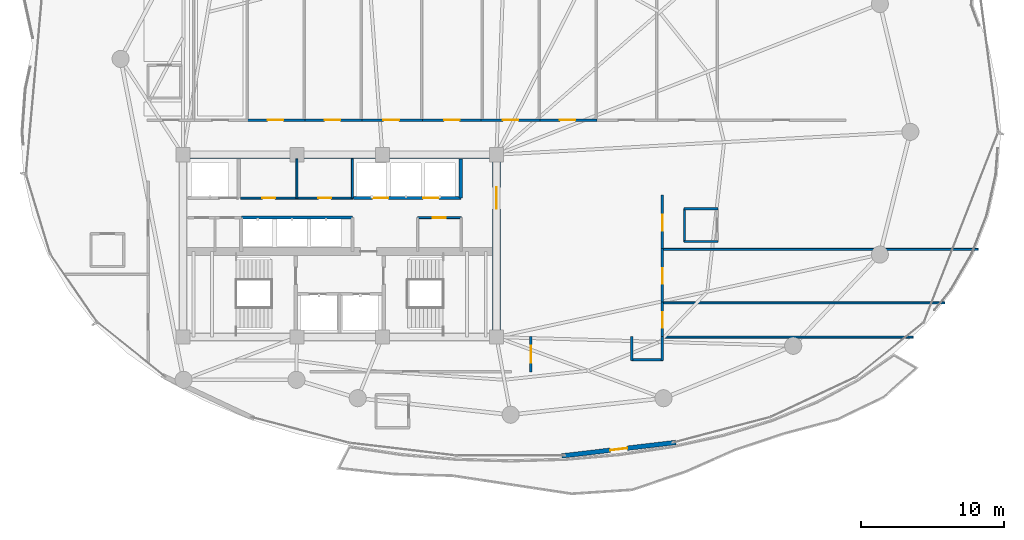
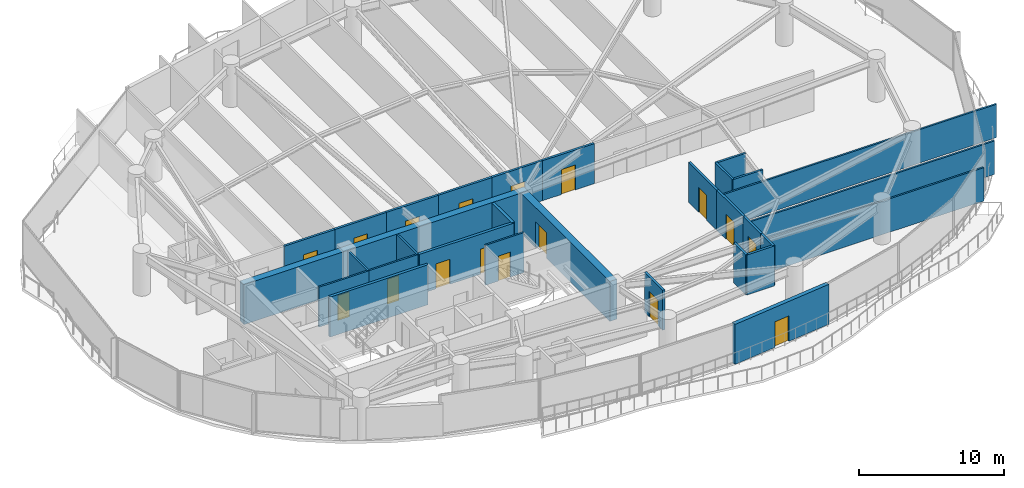
# One storey, part 27 of 33: 30 walls, 17 doors, 17 openings.
"""IFC4 building model written with IfcOpenShell, lengths in metres."""

from ifc_helpers import new_model, si_unit, direction, frame, frame_2d, origin, place, context, subcontext, project, spatial, rectangle, extrude, material, layer, layer_set, type_object, element, fill, save


model = new_model("IFC4")

# Units and contexts
model_context = context("Model", 3, precision=1e-05, world=origin(), true_north=direction((0.0, 1.0)))
body_context = subcontext(model_context, "Body", "Model", "MODEL_VIEW")
ifc_project = project(units=[si_unit("LENGTHUNIT", "METRE"), si_unit("AREAUNIT", "SQUARE_METRE"), si_unit("VOLUMEUNIT", "CUBIC_METRE"), si_unit("PLANEANGLEUNIT", "RADIAN"), si_unit("MASSUNIT", "GRAM", prefix="KILO")], contexts=[model_context])

# Site, building, storey
site_placement = place(None, origin())
site = spatial("IfcSite", under=ifc_project, at=site_placement, CompositionType="ELEMENT")
building_placement = place(site_placement, origin())
building = spatial("IfcBuilding", under=site, at=building_placement, Name="Kazevale Care Tower and Concert Hall", CompositionType="ELEMENT")
storey_placement = place(building_placement, frame((0.0, 0.0, 145.800048828125)))
storey = spatial("IfcBuildingStorey", under=building, at=storey_placement, Name="L38", CompositionType="ELEMENT", Elevation=145.800048828125)

# Wall, opening, door
ifc_material_1 = material(Name="Acoustic Gypsum on Steel Stud", Category="steel")
ifc_layer_1 = layer(ifc_material_1, 0.139892578125)
ifc_layer_set_1 = layer_set([ifc_layer_1], Name="Acoustic Gypsum on Steel Stud")
wall_type_1 = type_object("IfcWallType", Name="Acoustic Care & Suite Partition 140", PredefinedType="PARTITIONING", material=ifc_layer_set_1)
wall_1_placement = place(storey_placement, frame((26.050048828125, 33.35009765625, 0.0), z_axis=(0.0, 0.0, 1.0), x_axis=(1.0, 0.0, 0.0)))
wall_1 = element("IfcWall", 1, at=wall_1_placement, inside=storey, type_object=wall_type_1, Name="wall:L38:c_rpl1_s", PredefinedType="PARTITIONING", context=body_context, shape_type="SweptSolid", body=[
    extrude(rectangle(XDim=3.949951171875, YDim=0.139892578125, at=frame_2d((1.97509765625, 0.0))), origin(), (0.0, 0.0, 1.0), 3.35986328125),
])
opening_1_placement = place(wall_1_placement, frame((1.514892578125, 0.0, 0.0)))
opening_1 = element("IfcOpeningElement", 2, at=opening_1_placement, cuts=wall_1, Name="Opening ID-900", PredefinedType="OPENING", context=body_context, shape_type="SweptSolid", body=[
    extrude(rectangle(XDim=0.919921875, YDim=2.10009765625, at=frame_2d((0.4599609375, 1.050048828125))), frame((0.0, 0.079833984375, 0.0), z_axis=(0.0, -1.0, 0.0), x_axis=(1.0, 0.0, 0.0)), (0.0, 0.0, 1.0), 0.159912109375),
])
ifc_material_2 = material(Name="Oak Timber Fire Leaf", Category="wood")
door_type_1 = type_object("IfcDoorType", Name="Bathroom & Service Door 920x2100", OperationType="NOTDEFINED", PredefinedType="DOOR", material=ifc_material_2)
door_1_placement = place(opening_1_placement, origin())
door_1 = element("IfcDoor", 3, at=door_1_placement, inside=storey, type_object=door_type_1, Name="door:L38:d_rpl1", OperationType="SINGLE_SWING_LEFT", OverallHeight=2.10009765625, OverallWidth=0.919921875, PredefinedType="DOOR", context=body_context, shape_type="SweptSolid", body=[
    extrude(rectangle(XDim=0.919921875, YDim=2.10009765625, at=frame_2d((0.4599609375, 1.050048828125))), frame((0.0, 0.02490234375, 0.0), z_axis=(0.0, -1.0, 0.0), x_axis=(1.0, 0.0, 0.0)), (0.0, 0.0, 1.0), 0.050048828125),
])
fill(opening_1, door_1)

wall_2_placement = place(storey_placement, frame((30.0, 33.35009765625, 0.0), z_axis=(0.0, 0.0, 1.0), x_axis=(1.0, 0.0, 0.0)))
wall_2 = element("IfcWall", 4, at=wall_2_placement, inside=storey, type_object=wall_type_1, Name="wall:L38:c_rpl2_s", PredefinedType="PARTITIONING", context=body_context, shape_type="SweptSolid", body=[
    extrude(rectangle(XDim=3.919921875, YDim=0.139892578125, at=frame_2d((1.9599609375, 0.0))), origin(), (0.0, 0.0, 1.0), 3.35986328125),
])
opening_2_placement = place(wall_2_placement, frame((1.5, 0.0, 0.0)))
opening_2 = element("IfcOpeningElement", 5, at=opening_2_placement, cuts=wall_2, Name="Opening ID-900", PredefinedType="OPENING", context=body_context, shape_type="SweptSolid", body=[
    extrude(rectangle(XDim=0.919921875, YDim=2.10009765625, at=frame_2d((0.4599609375, 1.050048828125))), frame((0.0, 0.079833984375, 0.0), z_axis=(0.0, -1.0, 0.0), x_axis=(1.0, 0.0, 0.0)), (0.0, 0.0, 1.0), 0.159912109375),
])
door_2_placement = place(opening_2_placement, origin())
door_2 = element("IfcDoor", 6, at=door_2_placement, inside=storey, type_object=door_type_1, Name="door:L38:d_rpl2", OperationType="SINGLE_SWING_RIGHT", OverallHeight=2.10009765625, OverallWidth=0.919921875, PredefinedType="DOOR", context=body_context, shape_type="SweptSolid", body=[
    extrude(rectangle(XDim=0.919921875, YDim=2.10009765625, at=frame_2d((0.4599609375, 1.050048828125))), frame((0.0, 0.02490234375, 0.0), z_axis=(0.0, -1.0, 0.0), x_axis=(1.0, 0.0, 0.0)), (0.0, 0.0, 1.0), 0.050048828125),
])
fill(opening_2, door_2)

# Walls
for number, where, z_axis, x_axis, name in (
    (7, (30.0, 33.35009765625, 0.0), (0.0, 0.0, 1.0), (0.0, 1.0, 0.0), "wall:L38:c_rpl_m"),
    (8, (33.89990234375, 33.35009765625, 0.0), (0.0, 0.0, 1.0), (0.0, 1.0, 0.0), "wall:L38:c_rpl_e"),
):
    element("IfcWall", number, at=place(storey_placement, frame(where, z_axis=z_axis, x_axis=x_axis)), inside=storey, type_object=wall_type_1, Name=name, PredefinedType="PARTITIONING", context=body_context, shape_type="SweptSolid", body=[
        extrude(rectangle(XDim=2.75, YDim=0.139892578125, at=frame_2d((1.375, 0.0))), origin(), (0.0, 0.0, 1.0), 3.35986328125),
    ])

# Wall, opening, door
wall_3_placement = place(storey_placement, frame((38.47998046875, 31.97998046875, 0.0), z_axis=(0.0, 0.0, 1.0), x_axis=(1.0, 0.0, 0.0)))
wall_3 = element("IfcWall", 9, at=wall_3_placement, inside=storey, type_object=wall_type_1, Name="wall:L38:kb_en", PredefinedType="PARTITIONING", context=body_context, shape_type="SweptSolid", body=[
    extrude(rectangle(XDim=3.0400390625, YDim=0.139892578125, at=frame_2d((1.52001953125, 0.0))), origin(), (0.0, 0.0, 1.0), 3.35986328125),
])
opening_3_placement = place(wall_3_placement, frame((1.044921875, 0.0, 0.0)))
opening_3 = element("IfcOpeningElement", 10, at=opening_3_placement, cuts=wall_3, Name="Opening ID-900", PredefinedType="OPENING", context=body_context, shape_type="SweptSolid", body=[
    extrude(rectangle(XDim=0.919921875, YDim=2.10009765625, at=frame_2d((0.4599609375, 1.050048828125))), frame((0.0, 0.079833984375, 0.0), z_axis=(0.0, -1.0, 0.0), x_axis=(1.0, 0.0, 0.0)), (0.0, 0.0, 1.0), 0.159912109375),
])
door_3_placement = place(opening_3_placement, origin())
door_3 = element("IfcDoor", 11, at=door_3_placement, inside=storey, type_object=door_type_1, Name="door:L38:d_kbe", OperationType="SINGLE_SWING_LEFT", OverallHeight=2.10009765625, OverallWidth=0.919921875, PredefinedType="DOOR", context=body_context, shape_type="SweptSolid", body=[
    extrude(rectangle(XDim=0.919921875, YDim=2.10009765625, at=frame_2d((0.4599609375, 1.050048828125))), frame((0.0, 0.02490234375, 0.0), z_axis=(0.0, -1.0, 0.0), x_axis=(1.0, 0.0, 0.0)), (0.0, 0.0, 1.0), 0.050048828125),
])
fill(opening_3, door_3)

# Walls
wall_4_placement = place(storey_placement, frame((55.6201171875, 23.590087890625, 0.0), z_axis=(0.0, 0.0, 1.0), x_axis=(1.0, 0.0, 0.0)))
element("IfcWall", 12, at=wall_4_placement, inside=storey, type_object=wall_type_1, Name="wall:L38:auto_032", PredefinedType="PARTITIONING", context=body_context, shape_type="SweptSolid", body=[
    extrude(rectangle(XDim=17.620849609375, YDim=0.139892578125, at=frame_2d((8.810546875, 0.0))), origin(), (0.0, 0.0, 1.0), 2.805908203125),
])
wall_5_placement = place(storey_placement, frame((55.6201171875, 26.0, 0.0), z_axis=(0.0, 0.0, 1.0), x_axis=(1.0, 0.0, 0.0)))
element("IfcWall", 13, at=wall_5_placement, inside=storey, type_object=wall_type_1, Name="wall:L38:auto_033", PredefinedType="PARTITIONING", context=body_context, shape_type="SweptSolid", body=[
    extrude(rectangle(XDim=19.85595703125, YDim=0.139892578125, at=frame_2d((9.927978515625, 0.0))), origin(), (0.0, 0.0, 1.0), 2.805908203125),
])
wall_6_placement = place(storey_placement, frame((55.6201171875, 29.75, 0.0), z_axis=(0.0, 0.0, 1.0), x_axis=(1.0, 0.0, 0.0)))
element("IfcWall", 14, at=wall_6_placement, inside=storey, type_object=wall_type_1, Name="wall:L38:auto_034", PredefinedType="PARTITIONING", context=body_context, shape_type="SweptSolid", body=[
    extrude(rectangle(XDim=22.186767578125, YDim=0.139892578125, at=frame_2d((11.09326171875, 0.0))), origin(), (0.0, 0.0, 1.0), 2.805908203125),
])
ifc_material_3 = material(Name="Concrete C60", Category="concrete")
ifc_layer_2 = layer(ifc_material_3, 0.550048828125)
ifc_layer_set_2 = layer_set([ifc_layer_2], Name="Concrete C60")
wall_type_2 = type_object("IfcWallType", Name="Core Shear Wall 550 C60", PredefinedType="SHEAR", material=ifc_layer_set_2)
wall_7_placement = place(storey_placement, frame((21.72509765625, 36.39990234375, 0.0), z_axis=(0.0, 0.0, 1.0), x_axis=(1.0, 0.0, 0.0)))
element("IfcWall", 15, at=wall_7_placement, inside=storey, type_object=wall_type_2, Name="wall:L38:core:N", PredefinedType="SHEAR", context=body_context, shape_type="SweptSolid", body=[
    extrude(rectangle(XDim=22.5498046875, YDim=0.550048828125, at=frame_2d((11.27490234375, 0.0))), origin(), (0.0, 0.0, 1.0), 3.35986328125),
])

# Wall, opening, door
wall_8_placement = place(storey_placement, frame((44.0, 23.875, 0.0), z_axis=(0.0, 0.0, 1.0), x_axis=(0.0, 1.0, 0.0)))
wall_8 = element("IfcWall", 16, at=wall_8_placement, inside=storey, type_object=wall_type_2, Name="wall:L38:core:E", PredefinedType="SHEAR", context=body_context, shape_type="SweptSolid", body=[
    extrude(rectangle(XDim=12.25, YDim=0.550048828125, at=frame_2d((6.125, 0.0))), origin(), (0.0, 0.0, 1.0), 3.35986328125),
])
opening_4_placement = place(wall_8_placement, frame((8.72509765625, 0.0, 0.0)))
opening_4 = element("IfcOpeningElement", 17, at=opening_4_placement, cuts=wall_8, Name="Opening FD-60D", PredefinedType="OPENING", context=body_context, shape_type="SweptSolid", body=[
    extrude(rectangle(XDim=1.5, YDim=2.14990234375, at=frame_2d((0.75, 1.074951171875))), frame((0.0, 0.284912109375, 0.0), z_axis=(0.0, -1.0, 0.0), x_axis=(1.0, 0.0, 0.0)), (0.0, 0.0, 1.0), 0.570068359375),
])
door_type_2 = type_object("IfcDoorType", Name="Double Lobby & Auditorium Fire Door 1500x2150", OperationType="NOTDEFINED", PredefinedType="DOOR", material=ifc_material_2)
door_4_placement = place(opening_4_placement, origin())
door_4 = element("IfcDoor", 18, at=door_4_placement, inside=storey, type_object=door_type_2, Name="door:L38:core_east_out", OperationType="DOUBLE_DOOR_SINGLE_SWING", OverallHeight=2.14990234375, OverallWidth=1.5, PredefinedType="DOOR", context=body_context, shape_type="SweptSolid", body=[
    extrude(rectangle(XDim=1.5, YDim=2.14990234375, at=frame_2d((0.75, 1.074951171875))), frame((0.0, 0.02490234375, 0.0), z_axis=(0.0, -1.0, 0.0), x_axis=(1.0, 0.0, 0.0)), (0.0, 0.0, 1.0), 0.050048828125),
])
fill(opening_4, door_4)

# Wall
ifc_material_4 = material(Name="Concrete C40", Category="concrete")
ifc_layer_3 = layer(ifc_material_4, 0.219970703125)
ifc_layer_set_3 = layer_set([ifc_layer_3], Name="Concrete C40")
wall_type_3 = type_object("IfcWallType", Name="Elevator Hoistway Shaft Wall 220", PredefinedType="SOLIDWALL", material=ifc_layer_set_3)
wall_9_placement = place(storey_placement, frame((26.10009765625, 31.97998046875, 0.0), z_axis=(0.0, 0.0, 1.0), x_axis=(1.0, 0.0, 0.0)))
element("IfcWall", 19, at=wall_9_placement, inside=storey, type_object=wall_type_3, Name="wall:L38:c_ph_n", PredefinedType="SOLIDWALL", context=body_context, shape_type="SweptSolid", body=[
    extrude(rectangle(XDim=7.7998046875, YDim=0.219970703125, at=frame_2d((3.89990234375, 0.0))), origin(), (0.0, 0.0, 1.0), 3.35986328125),
])

# Wall, openings, doors
wall_10_placement = place(storey_placement, frame((33.97998046875, 33.35009765625, 0.0), z_axis=(0.0, 0.0, 1.0), x_axis=(1.0, 0.0, 0.0)))
wall_10 = element("IfcWall", 20, at=wall_10_placement, inside=storey, type_object=wall_type_3, Name="wall:L38:c_pm_s", PredefinedType="SOLIDWALL", context=body_context, shape_type="SweptSolid", body=[
    extrude(rectangle(XDim=7.5400390625, YDim=0.219970703125, at=frame_2d((3.77001953125, 0.0))), origin(), (0.0, 0.0, 1.0), 3.35986328125),
])
opening_5_placement = place(wall_10_placement, frame((1.3349609375, 0.0, 0.0)))
opening_5 = element("IfcOpeningElement", 21, at=opening_5_placement, cuts=wall_10, Name="Opening LD-PAX", PredefinedType="OPENING", context=body_context, shape_type="SweptSolid", body=[
    extrude(rectangle(XDim=1.10009765625, YDim=2.10009765625, at=frame_2d((0.550048828125, 1.050048828125))), frame((0.0, 0.119873046875, 0.0), z_axis=(0.0, -1.0, 0.0), x_axis=(1.0, 0.0, 0.0)), (0.0, 0.0, 1.0), 0.239990234375),
])
opening_6_placement = place(wall_10_placement, frame((4.87890625, 0.0, 0.0)))
opening_6 = element("IfcOpeningElement", 22, at=opening_6_placement, cuts=wall_10, Name="Opening LD-PAX", PredefinedType="OPENING", context=body_context, shape_type="SweptSolid", body=[
    extrude(rectangle(XDim=1.10009765625, YDim=2.10009765625, at=frame_2d((0.550048828125, 1.050048828125))), frame((0.0, 0.119873046875, 0.0), z_axis=(0.0, -1.0, 0.0), x_axis=(1.0, 0.0, 0.0)), (0.0, 0.0, 1.0), 0.239990234375),
])
ifc_material_5 = material(Name="Stainless Steel 316", Category="steel")
door_type_3 = type_object("IfcDoorType", Name="Passenger Lift Sliding Landing Door 1100x2100", OperationType="NOTDEFINED", PredefinedType="DOOR", material=ifc_material_5)
door_5_placement = place(opening_5_placement, origin())
door_5 = element("IfcDoor", 23, at=door_5_placement, inside=storey, type_object=door_type_3, Name="door:L38:ld_pm1", OperationType="SLIDING_TO_LEFT", OverallHeight=2.10009765625, OverallWidth=1.10009765625, PredefinedType="DOOR", context=body_context, shape_type="SweptSolid", body=[
    extrude(rectangle(XDim=1.10009765625, YDim=2.10009765625, at=frame_2d((0.550048828125, 1.050048828125))), frame((0.0, 0.02490234375, 0.0), z_axis=(0.0, -1.0, 0.0), x_axis=(1.0, 0.0, 0.0)), (0.0, 0.0, 1.0), 0.050048828125),
])
fill(opening_5, door_5)
door_6_placement = place(opening_6_placement, origin())
door_6 = element("IfcDoor", 24, at=door_6_placement, inside=storey, type_object=door_type_3, Name="door:L38:ld_pm2", OperationType="SLIDING_TO_RIGHT", OverallHeight=2.10009765625, OverallWidth=1.10009765625, PredefinedType="DOOR", context=body_context, shape_type="SweptSolid", body=[
    extrude(rectangle(XDim=1.10009765625, YDim=2.10009765625, at=frame_2d((0.550048828125, 1.050048828125))), frame((0.0, 0.02490234375, 0.0), z_axis=(0.0, -1.0, 0.0), x_axis=(1.0, 0.0, 0.0)), (0.0, 0.0, 1.0), 0.050048828125),
])
fill(opening_6, door_6)

# Wall
wall_11_placement = place(storey_placement, frame((41.5, 33.35009765625, 0.0), z_axis=(0.0, 0.0, 1.0), x_axis=(0.0, 1.0, 0.0)))
element("IfcWall", 25, at=wall_11_placement, inside=storey, type_object=wall_type_3, Name="wall:L38:c_pm_e", PredefinedType="SOLIDWALL", context=body_context, shape_type="SweptSolid", body=[
    extrude(rectangle(XDim=2.75, YDim=0.219970703125, at=frame_2d((1.375, 0.0))), origin(), (0.0, 0.0, 1.0), 3.35986328125),
])

# Wall, opening, door
ifc_material_6 = material(Name="Concrete C40 and Acoustic Gypsum", Category="concrete")
ifc_layer_4 = layer(ifc_material_6, 0.179931640625)
ifc_layer_set_4 = layer_set([ifc_layer_4], Name="Concrete C40 and Acoustic Gypsum")
wall_type_4 = type_object("IfcWallType", Name="Fire-Rated Corridor & Party Wall 180", PredefinedType="PARTITIONING", material=ifc_layer_set_4)
wall_12_placement = place(storey_placement, frame((26.43505859375, 38.824951171875, 0.0), z_axis=(0.0, 0.0, 1.0), x_axis=(1.0, 0.0, 0.0)))
wall_12 = element("IfcWall", 26, at=wall_12_placement, inside=storey, type_object=wall_type_4, Name="wall:L38:auto_003", PredefinedType="PARTITIONING", context=body_context, shape_type="SweptSolid", body=[
    extrude(rectangle(XDim=4.1298828125, YDim=0.179931640625, at=frame_2d((2.06494140625, 0.0))), origin(), (0.0, 0.0, 1.0), 3.35986328125),
])
opening_7_placement = place(wall_12_placement, frame((1.514892578125, 0.0, 0.0)))
opening_7 = element("IfcOpeningElement", 27, at=opening_7_placement, cuts=wall_12, Name="Opening ID-1100", PredefinedType="OPENING", context=body_context, shape_type="SweptSolid", body=[
    extrude(rectangle(XDim=1.10009765625, YDim=2.10009765625, at=frame_2d((0.550048828125, 1.050048828125))), frame((0.0, 0.099853515625, 0.0), z_axis=(0.0, -1.0, 0.0), x_axis=(1.0, 0.0, 0.0)), (0.0, 0.0, 1.0), 0.199951171875),
])
door_type_4 = type_object("IfcDoorType", Name="Care Bedroom Accessible Door 1100x2100", OperationType="NOTDEFINED", PredefinedType="DOOR", material=ifc_material_2)
door_7_placement = place(opening_7_placement, origin())
door_7 = element("IfcDoor", 28, at=door_7_placement, inside=storey, type_object=door_type_4, Name="door:L38:ad_003", OperationType="SINGLE_SWING_LEFT", OverallHeight=2.10009765625, OverallWidth=1.10009765625, PredefinedType="DOOR", context=body_context, shape_type="SweptSolid", body=[
    extrude(rectangle(XDim=1.10009765625, YDim=2.10009765625, at=frame_2d((0.550048828125, 1.050048828125))), frame((0.0, 0.02490234375, 0.0), z_axis=(0.0, -1.0, 0.0), x_axis=(1.0, 0.0, 0.0)), (0.0, 0.0, 1.0), 0.050048828125),
])
fill(opening_7, door_7)

wall_13_placement = place(storey_placement, frame((30.43505859375, 38.824951171875, 0.0), z_axis=(0.0, 0.0, 1.0), x_axis=(1.0, 0.0, 0.0)))
wall_13 = element("IfcWall", 29, at=wall_13_placement, inside=storey, type_object=wall_type_4, Name="wall:L38:auto_004", PredefinedType="PARTITIONING", context=body_context, shape_type="SweptSolid", body=[
    extrude(rectangle(XDim=4.1298828125, YDim=0.179931640625, at=frame_2d((2.06494140625, 0.0))), origin(), (0.0, 0.0, 1.0), 3.35986328125),
])
opening_8_placement = place(wall_13_placement, frame((1.514892578125, 0.0, 0.0)))
opening_8 = element("IfcOpeningElement", 30, at=opening_8_placement, cuts=wall_13, Name="Opening ID-1100", PredefinedType="OPENING", context=body_context, shape_type="SweptSolid", body=[
    extrude(rectangle(XDim=1.10009765625, YDim=2.10009765625, at=frame_2d((0.550048828125, 1.050048828125))), frame((0.0, 0.099853515625, 0.0), z_axis=(0.0, -1.0, 0.0), x_axis=(1.0, 0.0, 0.0)), (0.0, 0.0, 1.0), 0.199951171875),
])
door_8_placement = place(opening_8_placement, origin())
door_8 = element("IfcDoor", 31, at=door_8_placement, inside=storey, type_object=door_type_4, Name="door:L38:ad_004", OperationType="SINGLE_SWING_LEFT", OverallHeight=2.10009765625, OverallWidth=1.10009765625, PredefinedType="DOOR", context=body_context, shape_type="SweptSolid", body=[
    extrude(rectangle(XDim=1.10009765625, YDim=2.10009765625, at=frame_2d((0.550048828125, 1.050048828125))), frame((0.0, 0.02490234375, 0.0), z_axis=(0.0, -1.0, 0.0), x_axis=(1.0, 0.0, 0.0)), (0.0, 0.0, 1.0), 0.050048828125),
])
fill(opening_8, door_8)

wall_14_placement = place(storey_placement, frame((34.43505859375, 38.824951171875, 0.0), z_axis=(0.0, 0.0, 1.0), x_axis=(1.0, 0.0, 0.0)))
wall_14 = element("IfcWall", 32, at=wall_14_placement, inside=storey, type_object=wall_type_4, Name="wall:L38:auto_005", PredefinedType="PARTITIONING", context=body_context, shape_type="SweptSolid", body=[
    extrude(rectangle(XDim=4.3798828125, YDim=0.179931640625, at=frame_2d((2.18994140625, 0.0))), origin(), (0.0, 0.0, 1.0), 3.35986328125),
])
opening_9_placement = place(wall_14_placement, frame((1.639892578125, 0.0, 0.0)))
opening_9 = element("IfcOpeningElement", 33, at=opening_9_placement, cuts=wall_14, Name="Opening ID-1100", PredefinedType="OPENING", context=body_context, shape_type="SweptSolid", body=[
    extrude(rectangle(XDim=1.10009765625, YDim=2.10009765625, at=frame_2d((0.550048828125, 1.050048828125))), frame((0.0, 0.099853515625, 0.0), z_axis=(0.0, -1.0, 0.0), x_axis=(1.0, 0.0, 0.0)), (0.0, 0.0, 1.0), 0.199951171875),
])
door_9_placement = place(opening_9_placement, origin())
door_9 = element("IfcDoor", 34, at=door_9_placement, inside=storey, type_object=door_type_4, Name="door:L38:ad_005", OperationType="SINGLE_SWING_LEFT", OverallHeight=2.10009765625, OverallWidth=1.10009765625, PredefinedType="DOOR", context=body_context, shape_type="SweptSolid", body=[
    extrude(rectangle(XDim=1.10009765625, YDim=2.10009765625, at=frame_2d((0.550048828125, 1.050048828125))), frame((0.0, 0.02490234375, 0.0), z_axis=(0.0, -1.0, 0.0), x_axis=(1.0, 0.0, 0.0)), (0.0, 0.0, 1.0), 0.050048828125),
])
fill(opening_9, door_9)

wall_15_placement = place(storey_placement, frame((38.68505859375, 38.824951171875, 0.0), z_axis=(0.0, 0.0, 1.0), x_axis=(1.0, 0.0, 0.0)))
wall_15 = element("IfcWall", 35, at=wall_15_placement, inside=storey, type_object=wall_type_4, Name="wall:L38:auto_006", PredefinedType="PARTITIONING", context=body_context, shape_type="SweptSolid", body=[
    extrude(rectangle(XDim=4.3798828125, YDim=0.179931640625, at=frame_2d((2.18994140625, 0.0))), origin(), (0.0, 0.0, 1.0), 3.35986328125),
])
opening_10_placement = place(wall_15_placement, frame((1.639892578125, 0.0, 0.0)))
opening_10 = element("IfcOpeningElement", 36, at=opening_10_placement, cuts=wall_15, Name="Opening ID-1100", PredefinedType="OPENING", context=body_context, shape_type="SweptSolid", body=[
    extrude(rectangle(XDim=1.10009765625, YDim=2.10009765625, at=frame_2d((0.550048828125, 1.050048828125))), frame((0.0, 0.099853515625, 0.0), z_axis=(0.0, -1.0, 0.0), x_axis=(1.0, 0.0, 0.0)), (0.0, 0.0, 1.0), 0.199951171875),
])
door_10_placement = place(opening_10_placement, origin())
door_10 = element("IfcDoor", 37, at=door_10_placement, inside=storey, type_object=door_type_4, Name="door:L38:ad_006", OperationType="SINGLE_SWING_LEFT", OverallHeight=2.10009765625, OverallWidth=1.10009765625, PredefinedType="DOOR", context=body_context, shape_type="SweptSolid", body=[
    extrude(rectangle(XDim=1.10009765625, YDim=2.10009765625, at=frame_2d((0.550048828125, 1.050048828125))), frame((0.0, 0.02490234375, 0.0), z_axis=(0.0, -1.0, 0.0), x_axis=(1.0, 0.0, 0.0)), (0.0, 0.0, 1.0), 0.050048828125),
])
fill(opening_10, door_10)

wall_16_placement = place(storey_placement, frame((42.93505859375, 38.824951171875, 0.0), z_axis=(0.0, 0.0, 1.0), x_axis=(1.0, 0.0, 0.0)))
wall_16 = element("IfcWall", 38, at=wall_16_placement, inside=storey, type_object=wall_type_4, Name="wall:L38:auto_007", PredefinedType="PARTITIONING", context=body_context, shape_type="SweptSolid", body=[
    extrude(rectangle(XDim=4.1298828125, YDim=0.179931640625, at=frame_2d((2.06494140625, 0.0))), origin(), (0.0, 0.0, 1.0), 3.35986328125),
])
opening_11_placement = place(wall_16_placement, frame((1.514892578125, 0.0, 0.0)))
opening_11 = element("IfcOpeningElement", 39, at=opening_11_placement, cuts=wall_16, Name="Opening ID-1100", PredefinedType="OPENING", context=body_context, shape_type="SweptSolid", body=[
    extrude(rectangle(XDim=1.10009765625, YDim=2.10009765625, at=frame_2d((0.550048828125, 1.050048828125))), frame((0.0, 0.099853515625, 0.0), z_axis=(0.0, -1.0, 0.0), x_axis=(1.0, 0.0, 0.0)), (0.0, 0.0, 1.0), 0.199951171875),
])
door_11_placement = place(opening_11_placement, origin())
door_11 = element("IfcDoor", 40, at=door_11_placement, inside=storey, type_object=door_type_4, Name="door:L38:ad_007", OperationType="SINGLE_SWING_LEFT", OverallHeight=2.10009765625, OverallWidth=1.10009765625, PredefinedType="DOOR", context=body_context, shape_type="SweptSolid", body=[
    extrude(rectangle(XDim=1.10009765625, YDim=2.10009765625, at=frame_2d((0.550048828125, 1.050048828125))), frame((0.0, 0.02490234375, 0.0), z_axis=(0.0, -1.0, 0.0), x_axis=(1.0, 0.0, 0.0)), (0.0, 0.0, 1.0), 0.050048828125),
])
fill(opening_11, door_11)

wall_17_placement = place(storey_placement, frame((46.93505859375, 38.824951171875, 0.0), z_axis=(0.0, 0.0, 1.0), x_axis=(1.0, 0.0, 0.0)))
wall_17 = element("IfcWall", 41, at=wall_17_placement, inside=storey, type_object=wall_type_4, Name="wall:L38:auto_008", PredefinedType="PARTITIONING", context=body_context, shape_type="SweptSolid", body=[
    extrude(rectangle(XDim=4.1298828125, YDim=0.179931640625, at=frame_2d((2.06494140625, 0.0))), origin(), (0.0, 0.0, 1.0), 3.35986328125),
])
opening_12_placement = place(wall_17_placement, frame((1.514892578125, 0.0, 0.0)))
opening_12 = element("IfcOpeningElement", 42, at=opening_12_placement, cuts=wall_17, Name="Opening ID-1100", PredefinedType="OPENING", context=body_context, shape_type="SweptSolid", body=[
    extrude(rectangle(XDim=1.10009765625, YDim=2.10009765625, at=frame_2d((0.550048828125, 1.050048828125))), frame((0.0, 0.099853515625, 0.0), z_axis=(0.0, -1.0, 0.0), x_axis=(1.0, 0.0, 0.0)), (0.0, 0.0, 1.0), 0.199951171875),
])
door_12_placement = place(opening_12_placement, origin())
door_12 = element("IfcDoor", 43, at=door_12_placement, inside=storey, type_object=door_type_4, Name="door:L38:ad_008", OperationType="SINGLE_SWING_LEFT", OverallHeight=2.10009765625, OverallWidth=1.10009765625, PredefinedType="DOOR", context=body_context, shape_type="SweptSolid", body=[
    extrude(rectangle(XDim=1.10009765625, YDim=2.10009765625, at=frame_2d((0.550048828125, 1.050048828125))), frame((0.0, 0.02490234375, 0.0), z_axis=(0.0, -1.0, 0.0), x_axis=(1.0, 0.0, 0.0)), (0.0, 0.0, 1.0), 0.050048828125),
])
fill(opening_12, door_12)

wall_18_placement = place(storey_placement, frame((46.425048828125, 23.655029296875, 0.0), z_axis=(0.0, 0.0, 1.0), x_axis=(0.0, -1.0, 0.0)))
wall_18 = element("IfcWall", 44, at=wall_18_placement, inside=storey, type_object=wall_type_4, Name="wall:L38:auto_012", PredefinedType="PARTITIONING", context=body_context, shape_type="SweptSolid", body=[
    extrude(rectangle(XDim=2.510009765625, YDim=0.179931640625, at=frame_2d((1.2548828125, 0.0))), origin(), (0.0, 0.0, 1.0), 3.35986328125),
])
opening_13_placement = place(wall_18_placement, frame((0.655029296875, 0.0, 0.0)))
opening_13 = element("IfcOpeningElement", 45, at=opening_13_placement, cuts=wall_18, Name="Opening ID-1200", PredefinedType="OPENING", context=body_context, shape_type="SweptSolid", body=[
    extrude(rectangle(XDim=1.199951171875, YDim=2.14990234375, at=frame_2d((0.60009765625, 1.074951171875))), frame((0.0, 0.099853515625, 0.0), z_axis=(0.0, -1.0, 0.0), x_axis=(1.0, 0.0, 0.0)), (0.0, 0.0, 1.0), 0.199951171875),
])
door_type_5 = type_object("IfcDoorType", Name="Clinical & Therapy Door 1200x2150", OperationType="NOTDEFINED", PredefinedType="DOOR", material=ifc_material_2)
door_13_placement = place(opening_13_placement, origin())
door_13 = element("IfcDoor", 46, at=door_13_placement, inside=storey, type_object=door_type_5, Name="door:L38:ad_012", OperationType="SINGLE_SWING_LEFT", OverallHeight=2.14990234375, OverallWidth=1.199951171875, PredefinedType="DOOR", context=body_context, shape_type="SweptSolid", body=[
    extrude(rectangle(XDim=1.199951171875, YDim=2.14990234375, at=frame_2d((0.60009765625, 1.074951171875))), frame((0.0, 0.02490234375, 0.0), z_axis=(0.0, -1.0, 0.0), x_axis=(1.0, 0.0, 0.0)), (0.0, 0.0, 1.0), 0.050048828125),
])
fill(opening_13, door_13)

# Walls
wall_19_placement = place(storey_placement, frame((55.679931640625, 22.0, 0.0), z_axis=(0.0, 0.0, 1.0), x_axis=(-1.0, 0.0, 0.0)))
element("IfcWall", 47, at=wall_19_placement, inside=storey, type_object=wall_type_4, Name="wall:L38:auto_013", PredefinedType="PARTITIONING", context=body_context, shape_type="SweptSolid", body=[
    extrude(rectangle(XDim=2.2099609375, YDim=0.179931640625, at=frame_2d((1.10498046875, 0.0))), origin(), (0.0, 0.0, 1.0), 3.35986328125),
])
for number, where, z_axis, x_axis, name in (
    (48, (55.64990234375, 23.655029296875, 0.0), (0.0, 0.0, 1.0), (0.0, -1.0, 0.0), "wall:L38:auto_014"),
    (49, (53.5, 21.969970703125, 0.0), (0.0, 0.0, 1.0), (0.0, 1.0, 0.0), "wall:L38:auto_015"),
):
    element("IfcWall", number, at=place(storey_placement, frame(where, z_axis=z_axis, x_axis=x_axis)), inside=storey, type_object=wall_type_4, Name=name, PredefinedType="PARTITIONING", context=body_context, shape_type="SweptSolid", body=[
        extrude(rectangle(XDim=1.68505859375, YDim=0.179931640625, at=frame_2d((0.842529296875, 0.0))), origin(), (0.0, 0.0, 1.0), 3.35986328125),
    ])

# Wall, opening, door
wall_20_placement = place(storey_placement, frame((55.64990234375, 26.06494140625, 0.0), z_axis=(0.0, 0.0, 1.0), x_axis=(0.0, -1.0, 0.0)))
wall_20 = element("IfcWall", 50, at=wall_20_placement, inside=storey, type_object=wall_type_4, Name="wall:L38:auto_016", PredefinedType="PARTITIONING", context=body_context, shape_type="SweptSolid", body=[
    extrude(rectangle(XDim=2.5400390625, YDim=0.179931640625, at=frame_2d((1.27001953125, 0.0))), origin(), (0.0, 0.0, 1.0), 3.35986328125),
])
opening_14_placement = place(wall_20_placement, frame((0.719970703125, 0.0, 0.0)))
opening_14 = element("IfcOpeningElement", 51, at=opening_14_placement, cuts=wall_20, Name="Opening ID-1100", PredefinedType="OPENING", context=body_context, shape_type="SweptSolid", body=[
    extrude(rectangle(XDim=1.10009765625, YDim=2.10009765625, at=frame_2d((0.550048828125, 1.050048828125))), frame((0.0, 0.099853515625, 0.0), z_axis=(0.0, -1.0, 0.0), x_axis=(1.0, 0.0, 0.0)), (0.0, 0.0, 1.0), 0.199951171875),
])
door_14_placement = place(opening_14_placement, origin())
door_14 = element("IfcDoor", 52, at=door_14_placement, inside=storey, type_object=door_type_4, Name="door:L38:ad_016", OperationType="SINGLE_SWING_LEFT", OverallHeight=2.10009765625, OverallWidth=1.10009765625, PredefinedType="DOOR", context=body_context, shape_type="SweptSolid", body=[
    extrude(rectangle(XDim=1.10009765625, YDim=2.10009765625, at=frame_2d((0.550048828125, 1.050048828125))), frame((0.0, 0.02490234375, 0.0), z_axis=(0.0, -1.0, 0.0), x_axis=(1.0, 0.0, 0.0)), (0.0, 0.0, 1.0), 0.050048828125),
])
fill(opening_14, door_14)

wall_21_placement = place(storey_placement, frame((55.64990234375, 29.81494140625, 0.0), z_axis=(0.0, 0.0, 1.0), x_axis=(0.0, -1.0, 0.0)))
wall_21 = element("IfcWall", 53, at=wall_21_placement, inside=storey, type_object=wall_type_4, Name="wall:L38:auto_017", PredefinedType="PARTITIONING", context=body_context, shape_type="SweptSolid", body=[
    extrude(rectangle(XDim=3.8798828125, YDim=0.179931640625, at=frame_2d((1.93994140625, 0.0))), origin(), (0.0, 0.0, 1.0), 3.35986328125),
])
opening_15_placement = place(wall_21_placement, frame((1.389892578125, 0.0, 0.0)))
opening_15 = element("IfcOpeningElement", 54, at=opening_15_placement, cuts=wall_21, Name="Opening ID-1100", PredefinedType="OPENING", context=body_context, shape_type="SweptSolid", body=[
    extrude(rectangle(XDim=1.10009765625, YDim=2.10009765625, at=frame_2d((0.550048828125, 1.050048828125))), frame((0.0, 0.099853515625, 0.0), z_axis=(0.0, -1.0, 0.0), x_axis=(1.0, 0.0, 0.0)), (0.0, 0.0, 1.0), 0.199951171875),
])
door_15_placement = place(opening_15_placement, origin())
door_15 = element("IfcDoor", 55, at=door_15_placement, inside=storey, type_object=door_type_4, Name="door:L38:ad_017", OperationType="SINGLE_SWING_LEFT", OverallHeight=2.10009765625, OverallWidth=1.10009765625, PredefinedType="DOOR", context=body_context, shape_type="SweptSolid", body=[
    extrude(rectangle(XDim=1.10009765625, YDim=2.10009765625, at=frame_2d((0.550048828125, 1.050048828125))), frame((0.0, 0.02490234375, 0.0), z_axis=(0.0, -1.0, 0.0), x_axis=(1.0, 0.0, 0.0)), (0.0, 0.0, 1.0), 0.050048828125),
])
fill(opening_15, door_15)

wall_22_placement = place(storey_placement, frame((55.64990234375, 33.56494140625, 0.0), z_axis=(0.0, 0.0, 1.0), x_axis=(0.0, -1.0, 0.0)))
wall_22 = element("IfcWall", 56, at=wall_22_placement, inside=storey, type_object=wall_type_4, Name="wall:L38:auto_018", PredefinedType="PARTITIONING", context=body_context, shape_type="SweptSolid", body=[
    extrude(rectangle(XDim=3.8798828125, YDim=0.179931640625, at=frame_2d((1.93994140625, 0.0))), origin(), (0.0, 0.0, 1.0), 3.35986328125),
])
opening_16_placement = place(wall_22_placement, frame((1.389892578125, 0.0, 0.0)))
opening_16 = element("IfcOpeningElement", 57, at=opening_16_placement, cuts=wall_22, Name="Opening ID-1100", PredefinedType="OPENING", context=body_context, shape_type="SweptSolid", body=[
    extrude(rectangle(XDim=1.10009765625, YDim=2.10009765625, at=frame_2d((0.550048828125, 1.050048828125))), frame((0.0, 0.099853515625, 0.0), z_axis=(0.0, -1.0, 0.0), x_axis=(1.0, 0.0, 0.0)), (0.0, 0.0, 1.0), 0.199951171875),
])
door_16_placement = place(opening_16_placement, origin())
door_16 = element("IfcDoor", 58, at=door_16_placement, inside=storey, type_object=door_type_4, Name="door:L38:ad_018", OperationType="SINGLE_SWING_LEFT", OverallHeight=2.10009765625, OverallWidth=1.10009765625, PredefinedType="DOOR", context=body_context, shape_type="SweptSolid", body=[
    extrude(rectangle(XDim=1.10009765625, YDim=2.10009765625, at=frame_2d((0.550048828125, 1.050048828125))), frame((0.0, 0.02490234375, 0.0), z_axis=(0.0, -1.0, 0.0), x_axis=(1.0, 0.0, 0.0)), (0.0, 0.0, 1.0), 0.050048828125),
])
fill(opening_16, door_16)

# Walls
ifc_layer_5 = layer(ifc_material_1, 0.159912109375)
ifc_layer_set_5 = layer_set([ifc_layer_5], Name="Acoustic Gypsum on Steel Stud")
wall_type_5 = type_object("IfcWallType", Name="Moisture-Resistant Bathroom Plumbing Wall 160", PredefinedType="PLUMBINGWALL", material=ifc_layer_set_5)
for number, where, z_axis, x_axis, name in (
    (59, (57.159912109375, 30.300048828125, 0.0), (0.0, 0.0, 1.0), (1.0, 0.0, 0.0), "wall:L38:eb2b_ens_ws"),
    (60, (57.159912109375, 32.60009765625, 0.0), (0.0, 0.0, 1.0), (1.0, 0.0, 0.0), "wall:L38:eb2b_ens_wn"),
):
    element("IfcWall", number, at=place(storey_placement, frame(where, z_axis=z_axis, x_axis=x_axis)), inside=storey, type_object=wall_type_5, Name=name, PredefinedType="PLUMBINGWALL", context=body_context, shape_type="SweptSolid", body=[
        extrude(rectangle(XDim=2.380126953125, YDim=0.159912109375, at=frame_2d((1.18994140625, 0.0))), origin(), (0.0, 0.0, 1.0), 3.35986328125),
    ])
wall_23_placement = place(storey_placement, frame((57.199951171875, 30.260009765625, 0.0), z_axis=(0.0, 0.0, 1.0), x_axis=(0.0, 1.0, 0.0)))
element("IfcWall", 61, at=wall_23_placement, inside=storey, type_object=wall_type_5, Name="wall:L38:eb2b_ens_ww", PredefinedType="PLUMBINGWALL", context=body_context, shape_type="SweptSolid", body=[
    extrude(rectangle(XDim=2.3798828125, YDim=0.159912109375, at=frame_2d((1.18994140625, 0.0))), origin(), (0.0, 0.0, 1.0), 3.35986328125),
])

# Wall, opening, door
ifc_material_7 = material(Name="Concrete C40 with Honed Limestone Cladding", Category="masonry")
ifc_layer_6 = layer(ifc_material_7, 0.320068359375)
ifc_layer_set_6 = layer_set([ifc_layer_6], Name="Concrete C40 with Honed Limestone Cladding")
wall_type_6 = type_object("IfcWallType", Name="Tower Honed Limestone Spandrel Wall 320", PredefinedType="STANDARD", material=ifc_layer_set_6)
wall_24_placement = place(storey_placement, frame((56.5869140625, 16.205078125, 0.0), z_axis=(0.0, 0.0, 1.0), x_axis=(-0.993072847957, -0.117500292131, 0.0)))
wall_24 = element("IfcWall", 62, at=wall_24_placement, inside=storey, type_object=wall_type_6, Name="wall:L38:bal_host", PredefinedType="STANDARD", context=body_context, shape_type="SweptSolid", body=[
    extrude(rectangle(XDim=8.059814453125, YDim=0.320068359375, at=frame_2d((4.02978515625, 0.0))), origin(), (0.0, 0.0, 1.0), 3.35986328125),
])
opening_17_placement = place(wall_24_placement, frame((3.429931640625, 0.0, 0.0)))
opening_17 = element("IfcOpeningElement", 63, at=opening_17_placement, cuts=wall_24, Name="Opening BD-1200", PredefinedType="OPENING", context=body_context, shape_type="SweptSolid", body=[
    extrude(rectangle(XDim=1.199951171875, YDim=2.14990234375, at=frame_2d((0.60009765625, 1.074951171875))), frame((0.0, 0.169921875, 0.0), z_axis=(0.0, -1.0, 0.0), x_axis=(1.0, 0.0, 0.0)), (0.0, 0.0, 1.0), 0.340087890625),
])
ifc_material_8 = material(Name="Aluminium 6063-T6 and Low-E Glass", Category="aluminium")
door_type_6 = type_object("IfcDoorType", Name="Sheltered Balcony Glazed Door 1200x2150", OperationType="NOTDEFINED", PredefinedType="DOOR", material=ifc_material_8)
door_17_placement = place(opening_17_placement, origin())
door_17 = element("IfcDoor", 64, at=door_17_placement, inside=storey, type_object=door_type_6, Name="door:L38:BD-1", OperationType="SINGLE_SWING_LEFT", OverallHeight=2.14990234375, OverallWidth=1.199951171875, PredefinedType="DOOR", context=body_context, shape_type="SweptSolid", body=[
    extrude(rectangle(XDim=1.199951171875, YDim=2.14990234375, at=frame_2d((0.60009765625, 1.074951171875))), frame((0.0, 0.02490234375, 0.0), z_axis=(0.0, -1.0, 0.0), x_axis=(1.0, 0.0, 0.0)), (0.0, 0.0, 1.0), 0.050048828125),
])
fill(opening_17, door_17)

save(model, "model.ifc")
